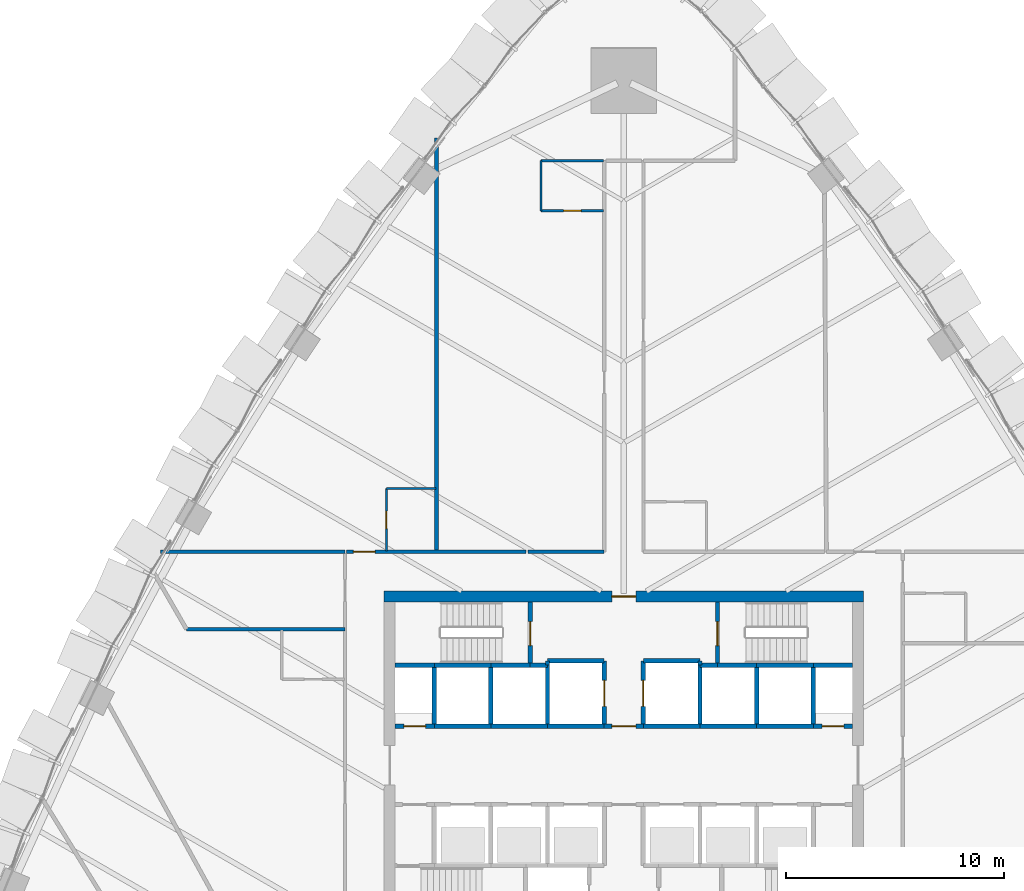
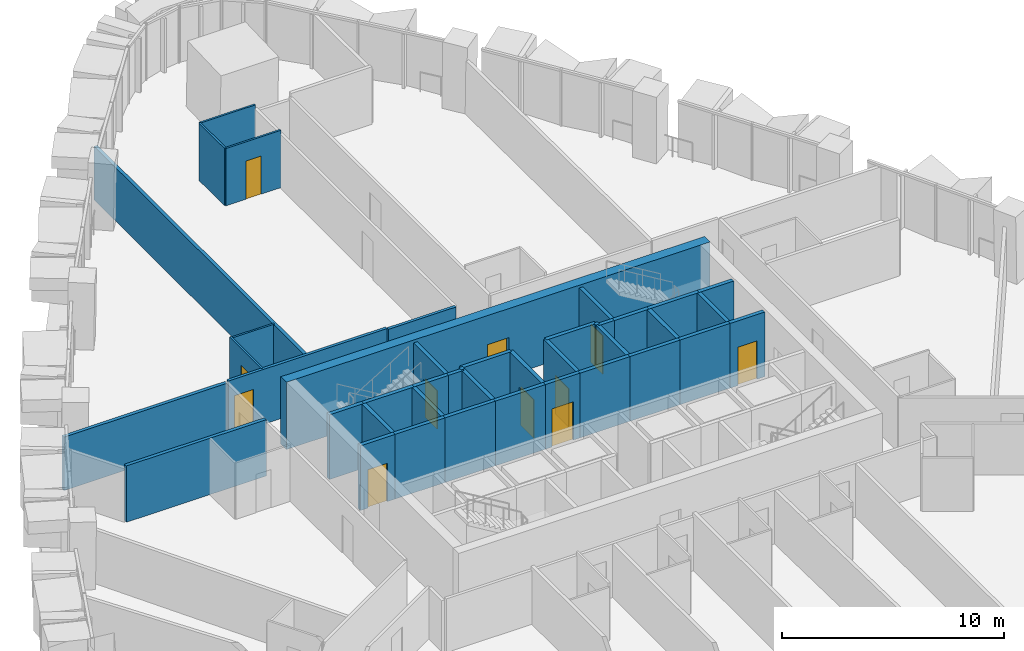
# One storey, part 18 of 27: 42 walls, 11 doors, 11 openings.
"""IFC4 building model written with IfcOpenShell, lengths in metres."""

from ifc_helpers import new_model, si_unit, direction, frame, frame_2d, origin, place, context, subcontext, project, spatial, rectangle, extrude, material, layer, layer_set, type_object, element, fill, save


model = new_model("IFC4")

# Units and contexts
model_context = context("Model", 3, precision=1e-05, world=origin(), true_north=direction((0.0, 1.0)))
body_context = subcontext(model_context, "Body", "Model", "MODEL_VIEW")
ifc_project = project(units=[si_unit("LENGTHUNIT", "METRE"), si_unit("AREAUNIT", "SQUARE_METRE"), si_unit("VOLUMEUNIT", "CUBIC_METRE"), si_unit("PLANEANGLEUNIT", "RADIAN"), si_unit("MASSUNIT", "GRAM", prefix="KILO")], contexts=[model_context])

# Site, building, storey
site_placement = place(None, origin())
site = spatial("IfcSite", under=ifc_project, at=site_placement, CompositionType="ELEMENT")
building_placement = place(site_placement, origin())
building = spatial("IfcBuilding", under=site, at=building_placement, Name="Sierra Prisma Convention Tower", CompositionType="ELEMENT")
storey_placement = place(building_placement, frame((0.0, 0.0, 48.0)))
storey = spatial("IfcBuildingStorey", under=building, at=storey_placement, Name="L07", CompositionType="ELEMENT", Elevation=48.0)

# Wall, opening, door
ifc_material_1 = material(Name="Gypsum board partition", Category="gypsum")
ifc_layer_1 = layer(ifc_material_1, 0.10009765625)
ifc_layer_set_1 = layer_set([ifc_layer_1], Name="Bathroom partition 100")
wall_type_1 = type_object("IfcWallType", Name="Bathroom partition 100", PredefinedType="PARTITIONING", material=ifc_layer_set_1)
wall_1_placement = place(storey_placement, frame((-10.89990234375, 9.830078125, 0.0), z_axis=(0.0, 0.0, 1.0), x_axis=(0.0, 1.0, 0.0)))
wall_1 = element("IfcWall", 1, at=wall_1_placement, inside=storey, type_object=wall_type_1, Name="Partition L07 bath 12", PredefinedType="PARTITIONING", context=body_context, shape_type="SweptSolid", body=[
    extrude(rectangle(XDim=2.869873046875, YDim=0.10009765625, at=frame_2d((1.43505859375, 0.0))), origin(), (0.0, 0.0, 1.0), 3.01708984375),
])
opening_1_placement = place(wall_1_placement, frame((1.034912109375, 0.0, 0.0)))
opening_1 = element("IfcOpeningElement", 2, at=opening_1_placement, cuts=wall_1, Name="Opening L07-D005", PredefinedType="OPENING", context=body_context, shape_type="SweptSolid", body=[
    extrude(rectangle(XDim=0.800048828125, YDim=2.10009765625, at=frame_2d((0.39990234375, 1.050048828125))), frame((0.0, 0.050048828125, 0.0), z_axis=(0.0, -1.0, 0.0), x_axis=(1.0, 0.0, 0.0)), (0.0, 0.0, 1.0), 0.10009765625),
])
ifc_material_2 = material(Name="Solid core timber door leaf", Category="wood")
door_type_1 = type_object("IfcDoorType", Name="Door 800x2100 plain", OperationType="SINGLE_SWING_LEFT", PredefinedType="DOOR", material=ifc_material_2)
door_1_placement = place(opening_1_placement, origin())
door_1 = element("IfcDoor", 3, at=door_1_placement, inside=storey, type_object=door_type_1, Name="Door L07 11", OperationType="SINGLE_SWING_RIGHT", OverallHeight=2.10009765625, OverallWidth=0.800048828125, PredefinedType="DOOR", context=body_context, shape_type="SweptSolid", body=[
    extrude(rectangle(XDim=0.800048828125, YDim=2.10009765625, at=frame_2d((0.39990234375, 1.050048828125))), frame((0.0, 0.02490234375, 0.0), z_axis=(0.0, -1.0, 0.0), x_axis=(1.0, 0.0, 0.0)), (0.0, 0.0, 1.0), 0.050048828125),
])
fill(opening_1, door_1)

# Wall
wall_2_placement = place(storey_placement, frame((-10.89990234375, 12.699951171875, 0.0), z_axis=(0.0, 0.0, 1.0), x_axis=(1.0, 0.0, 0.0)))
element("IfcWall", 4, at=wall_2_placement, inside=storey, type_object=wall_type_1, Name="Partition L07 bath 13", PredefinedType="PARTITIONING", context=body_context, shape_type="SweptSolid", body=[
    extrude(rectangle(XDim=2.27001953125, YDim=0.10009765625, at=frame_2d((1.135009765625, 0.0))), origin(), (0.0, 0.0, 1.0), 2.947021484375),
])

# Wall, opening, door
wall_3_placement = place(storey_placement, frame((-0.929931640625, 25.4560546875, 0.0), z_axis=(0.0, 0.0, 1.0), x_axis=(-1.0, 0.0, 0.0)))
wall_3 = element("IfcWall", 5, at=wall_3_placement, inside=storey, type_object=wall_type_1, Name="Partition L07 bath 18", PredefinedType="PARTITIONING", context=body_context, shape_type="SweptSolid", body=[
    extrude(rectangle(XDim=2.8701171875, YDim=0.10009765625, at=frame_2d((1.43505859375, 0.0))), origin(), (0.0, 0.0, 1.0), 3.14990234375),
])
opening_2_placement = place(wall_3_placement, frame((1.034912109375, 0.0, 0.0)))
opening_2 = element("IfcOpeningElement", 6, at=opening_2_placement, cuts=wall_3, Name="Opening L07-D004", PredefinedType="OPENING", context=body_context, shape_type="SweptSolid", body=[
    extrude(rectangle(XDim=0.800048828125, YDim=2.10009765625, at=frame_2d((0.39990234375, 1.050048828125))), frame((0.0, 0.050048828125, 0.0), z_axis=(0.0, -1.0, 0.0), x_axis=(1.0, 0.0, 0.0)), (0.0, 0.0, 1.0), 0.10009765625),
])
door_2_placement = place(opening_2_placement, origin())
door_2 = element("IfcDoor", 7, at=door_2_placement, inside=storey, type_object=door_type_1, Name="Door L07 9", OperationType="SINGLE_SWING_LEFT", OverallHeight=2.10009765625, OverallWidth=0.800048828125, PredefinedType="DOOR", context=body_context, shape_type="SweptSolid", body=[
    extrude(rectangle(XDim=0.800048828125, YDim=2.10009765625, at=frame_2d((0.39990234375, 1.050048828125))), frame((0.0, 0.02490234375, 0.0), z_axis=(0.0, -1.0, 0.0), x_axis=(1.0, 0.0, 0.0)), (0.0, 0.0, 1.0), 0.050048828125),
])
fill(opening_2, door_2)

# Walls
wall_4_placement = place(storey_placement, frame((-3.800048828125, 25.4560546875, 0.0), z_axis=(0.0, 0.0, 1.0), x_axis=(0.0, 1.0, 0.0)))
element("IfcWall", 8, at=wall_4_placement, inside=storey, type_object=wall_type_1, Name="Partition L07 bath 19", PredefinedType="PARTITIONING", context=body_context, shape_type="SweptSolid", body=[
    extrude(rectangle(XDim=2.300048828125, YDim=0.10009765625, at=frame_2d((1.14990234375, 0.0))), origin(), (0.0, 0.0, 1.0), 3.14990234375),
])
wall_5_placement = place(storey_placement, frame((-3.800048828125, 27.756103515625, 0.0), z_axis=(0.0, 0.0, 1.0), x_axis=(1.0, 0.0, 0.0)))
element("IfcWall", 9, at=wall_5_placement, inside=storey, type_object=wall_type_1, Name="Partition L07 bath 20", PredefinedType="PARTITIONING", context=body_context, shape_type="SweptSolid", body=[
    extrude(rectangle(XDim=2.8701171875, YDim=0.10009765625, at=frame_2d((1.43505859375, 0.0))), origin(), (0.0, 0.0, 1.0), 3.14990234375),
])

# Wall, opening, door
ifc_material_3 = material(Name="Concrete C30/37", Category="concrete")
ifc_layer_2 = layer(ifc_material_3, 0.199951171875)
ifc_layer_set_2 = layer_set([ifc_layer_2], Name="Core wall RC 200 C30/37")
wall_type_2 = type_object("IfcWallType", Name="Core wall RC 200 C30/37", PredefinedType="SOLIDWALL", material=ifc_layer_set_2)
wall_6_placement = place(storey_placement, frame((-8.699951171875, 1.800048828125, 0.0), z_axis=(0.0, 0.0, 1.0), x_axis=(-1.0, 0.0, 0.0)))
wall_6 = element("IfcWall", 10, at=wall_6_placement, inside=storey, type_object=wall_type_2, Name="Core wall L07 3", PredefinedType="SOLIDWALL", context=body_context, shape_type="SweptSolid", body=[
    extrude(rectangle(XDim=1.800048828125, YDim=0.199951171875, at=frame_2d((0.89990234375, 0.0))), origin(), (0.0, 0.0, 1.0), 3.550048828125),
])
opening_3_placement = place(wall_6_placement, frame((0.39990234375, 0.0, 0.0)))
opening_3 = element("IfcOpeningElement", 11, at=opening_3_placement, cuts=wall_6, Name="Opening L07-D032", PredefinedType="OPENING", context=body_context, shape_type="SweptSolid", body=[
    extrude(rectangle(XDim=1.0, YDim=2.10009765625, at=frame_2d((0.5, 1.050048828125))), frame((0.0, 0.10009765625, 0.0), z_axis=(0.0, -1.0, 0.0), x_axis=(1.0, 0.0, 0.0)), (0.0, 0.0, 1.0), 0.199951171875),
])
ifc_material_4 = material(Name="Steel fire door leaf", Category="steel")
door_type_2 = type_object("IfcDoorType", Name="Door 1000x2100 FD60S", OperationType="SINGLE_SWING_LEFT", PredefinedType="DOOR", material=ifc_material_4)
door_3_placement = place(opening_3_placement, origin())
door_3 = element("IfcDoor", 12, at=door_3_placement, inside=storey, type_object=door_type_2, Name="Door L07 53", OperationType="SINGLE_SWING_LEFT", OverallHeight=2.10009765625, OverallWidth=1.0, PredefinedType="DOOR", context=body_context, shape_type="SweptSolid", body=[
    extrude(rectangle(XDim=1.0, YDim=2.10009765625, at=frame_2d((0.5, 1.050048828125))), frame((0.0, 0.02490234375, 0.0), z_axis=(0.0, -1.0, 0.0), x_axis=(1.0, 0.0, 0.0)), (0.0, 0.0, 1.0), 0.050048828125),
])
fill(opening_3, door_3)

# Walls
wall_7_placement = place(storey_placement, frame((-8.699951171875, 4.60009765625, 0.0), z_axis=(0.0, 0.0, 1.0), x_axis=(-1.0, 0.0, 0.0)))
element("IfcWall", 13, at=wall_7_placement, inside=storey, type_object=wall_type_2, Name="Core wall L07 4", PredefinedType="SOLIDWALL", context=body_context, shape_type="SweptSolid", body=[
    extrude(rectangle(XDim=1.800048828125, YDim=0.199951171875, at=frame_2d((0.89990234375, 0.0))), origin(), (0.0, 0.0, 1.0), 3.550048828125),
])
wall_8_placement = place(storey_placement, frame((-6.10009765625, 1.800048828125, 0.0), z_axis=(0.0, 0.0, 1.0), x_axis=(-1.0, 0.0, 0.0)))
element("IfcWall", 14, at=wall_8_placement, inside=storey, type_object=wall_type_2, Name="Core wall L07 8", PredefinedType="SOLIDWALL", context=body_context, shape_type="SweptSolid", body=[
    extrude(rectangle(XDim=2.599853515625, YDim=0.199951171875, at=frame_2d((1.2998046875, 0.0))), origin(), (0.0, 0.0, 1.0), 3.550048828125),
])
wall_9_placement = place(storey_placement, frame((-8.699951171875, 1.800048828125, 0.0), z_axis=(0.0, 0.0, 1.0), x_axis=(0.0, 1.0, 0.0)))
element("IfcWall", 15, at=wall_9_placement, inside=storey, type_object=wall_type_2, Name="Core wall L07 9", PredefinedType="SOLIDWALL", context=body_context, shape_type="SweptSolid", body=[
    extrude(rectangle(XDim=2.800048828125, YDim=0.199951171875, at=frame_2d((1.39990234375, 0.0))), origin(), (0.0, 0.0, 1.0), 3.550048828125),
])
wall_10_placement = place(storey_placement, frame((-6.10009765625, 4.60009765625, 0.0), z_axis=(0.0, 0.0, 1.0), x_axis=(-1.0, 0.0, 0.0)))
element("IfcWall", 16, at=wall_10_placement, inside=storey, type_object=wall_type_2, Name="Core wall L07 10", PredefinedType="SOLIDWALL", context=body_context, shape_type="SweptSolid", body=[
    extrude(rectangle(XDim=2.599853515625, YDim=0.199951171875, at=frame_2d((1.2998046875, 0.0))), origin(), (0.0, 0.0, 1.0), 3.550048828125),
])
wall_11_placement = place(storey_placement, frame((-3.5, 1.800048828125, 0.0), z_axis=(0.0, 0.0, 1.0), x_axis=(-1.0, 0.0, 0.0)))
element("IfcWall", 17, at=wall_11_placement, inside=storey, type_object=wall_type_2, Name="Core wall L07 14", PredefinedType="SOLIDWALL", context=body_context, shape_type="SweptSolid", body=[
    extrude(rectangle(XDim=2.60009765625, YDim=0.199951171875, at=frame_2d((1.300048828125, 0.0))), origin(), (0.0, 0.0, 1.0), 3.550048828125),
])
wall_12_placement = place(storey_placement, frame((-6.10009765625, 1.800048828125, 0.0), z_axis=(0.0, 0.0, 1.0), x_axis=(0.0, 1.0, 0.0)))
element("IfcWall", 18, at=wall_12_placement, inside=storey, type_object=wall_type_2, Name="Core wall L07 15", PredefinedType="SOLIDWALL", context=body_context, shape_type="SweptSolid", body=[
    extrude(rectangle(XDim=2.800048828125, YDim=0.199951171875, at=frame_2d((1.39990234375, 0.0))), origin(), (0.0, 0.0, 1.0), 3.550048828125),
])
wall_13_placement = place(storey_placement, frame((-4.300048828125, 4.60009765625, 0.0), z_axis=(0.0, 0.0, 1.0), x_axis=(-1.0, 0.0, 0.0)))
element("IfcWall", 19, at=wall_13_placement, inside=storey, type_object=wall_type_2, Name="Core wall L07 16", PredefinedType="SOLIDWALL", context=body_context, shape_type="SweptSolid", body=[
    extrude(rectangle(XDim=1.800048828125, YDim=0.199951171875, at=frame_2d((0.89990234375, 0.0))), origin(), (0.0, 0.0, 1.0), 3.550048828125),
])
wall_14_placement = place(storey_placement, frame((-3.5, 4.60009765625, 0.0), z_axis=(0.0, 0.0, 1.0), x_axis=(-1.0, 0.0, 0.0)))
element("IfcWall", 20, at=wall_14_placement, inside=storey, type_object=wall_type_2, Name="Core wall L07 19", PredefinedType="SOLIDWALL", context=body_context, shape_type="SweptSolid", body=[
    extrude(rectangle(XDim=0.800048828125, YDim=0.199951171875, at=frame_2d((0.39990234375, 0.0))), origin(), (0.0, 0.0, 1.0), 3.550048828125),
])

# Wall, opening, door
wall_15_placement = place(storey_placement, frame((-4.300048828125, 4.60009765625, 0.0), z_axis=(0.0, 0.0, 1.0), x_axis=(0.0, 1.0, 0.0)))
wall_15 = element("IfcWall", 21, at=wall_15_placement, inside=storey, type_object=wall_type_2, Name="Core wall L07 20", PredefinedType="SOLIDWALL", context=body_context, shape_type="SweptSolid", body=[
    extrude(rectangle(XDim=2.89990234375, YDim=0.199951171875, at=frame_2d((1.449951171875, 0.0))), origin(), (0.0, 0.0, 1.0), 3.550048828125),
])
opening_4_placement = place(wall_15_placement, frame((0.89990234375, 0.0, 0.0)))
opening_4 = element("IfcOpeningElement", 22, at=opening_4_placement, cuts=wall_15, Name="Opening L07-D036", PredefinedType="OPENING", context=body_context, shape_type="SweptSolid", body=[
    extrude(rectangle(XDim=1.10009765625, YDim=2.10009765625, at=frame_2d((0.550048828125, 1.050048828125))), frame((0.0, 0.10009765625, 0.0), z_axis=(0.0, -1.0, 0.0), x_axis=(1.0, 0.0, 0.0)), (0.0, 0.0, 1.0), 0.199951171875),
])
ifc_material_5 = material(Name="Steel fire door leaf", Category="steel")
door_type_3 = type_object("IfcDoorType", Name="Door 1100x2100 FD90S", OperationType="SINGLE_SWING_LEFT", PredefinedType="DOOR", material=ifc_material_5)
door_4_placement = place(opening_4_placement, origin())
door_4 = element("IfcDoor", 23, at=door_4_placement, inside=storey, type_object=door_type_3, Name="Door L07 57", OperationType="SINGLE_SWING_LEFT", OverallHeight=2.10009765625, OverallWidth=1.10009765625, PredefinedType="DOOR", context=body_context, shape_type="SweptSolid", body=[
    extrude(rectangle(XDim=1.10009765625, YDim=2.10009765625, at=frame_2d((0.550048828125, 1.050048828125))), frame((0.0, 0.02490234375, 0.0), z_axis=(0.0, -1.0, 0.0), x_axis=(1.0, 0.0, 0.0)), (0.0, 0.0, 1.0), 0.050048828125),
])
fill(opening_4, door_4)

# Walls
wall_16_placement = place(storey_placement, frame((-0.89990234375, 1.800048828125, 0.0), z_axis=(0.0, 0.0, 1.0), x_axis=(-1.0, 0.0, 0.0)))
element("IfcWall", 24, at=wall_16_placement, inside=storey, type_object=wall_type_2, Name="Core wall L07 24", PredefinedType="SOLIDWALL", context=body_context, shape_type="SweptSolid", body=[
    extrude(rectangle(XDim=2.60009765625, YDim=0.199951171875, at=frame_2d((1.300048828125, 0.0))), origin(), (0.0, 0.0, 1.0), 3.550048828125),
])
wall_17_placement = place(storey_placement, frame((-3.5, 4.60009765625, 0.0), z_axis=(0.0, 0.0, 1.0), x_axis=(0.0, -1.0, 0.0)))
element("IfcWall", 25, at=wall_17_placement, inside=storey, type_object=wall_type_2, Name="Core wall L07 25", PredefinedType="SOLIDWALL", context=body_context, shape_type="SweptSolid", body=[
    extrude(rectangle(XDim=2.800048828125, YDim=0.199951171875, at=frame_2d((1.39990234375, 0.0))), origin(), (0.0, 0.0, 1.0), 3.550048828125),
])

# Wall, opening, door
wall_18_placement = place(storey_placement, frame((-0.89990234375, 1.800048828125, 0.0), z_axis=(0.0, 0.0, 1.0), x_axis=(0.0, 1.0, 0.0)))
wall_18 = element("IfcWall", 26, at=wall_18_placement, inside=storey, type_object=wall_type_2, Name="Core wall L07 26", PredefinedType="SOLIDWALL", context=body_context, shape_type="SweptSolid", body=[
    extrude(rectangle(XDim=3.0, YDim=0.199951171875, at=frame_2d((1.5, 0.0))), origin(), (0.0, 0.0, 1.0), 3.550048828125),
])
opening_5_placement = place(wall_18_placement, frame((0.89990234375, 0.0, 0.0)))
opening_5 = element("IfcOpeningElement", 27, at=opening_5_placement, cuts=wall_18, Name="Opening L07-D025", PredefinedType="OPENING", context=body_context, shape_type="SweptSolid", body=[
    extrude(rectangle(XDim=1.199951171875, YDim=2.10009765625, at=frame_2d((0.60009765625, 1.050048828125))), frame((0.0, 0.10009765625, 0.0), z_axis=(0.0, -1.0, 0.0), x_axis=(1.0, 0.0, 0.0)), (0.0, 0.0, 1.0), 0.199951171875),
])
ifc_material_6 = material(Name="Steel fire door leaf", Category="steel")
door_type_4 = type_object("IfcDoorType", Name="Door 1200x2100 EI 90 sliding lift landing", OperationType="SLIDING_TO_LEFT", PredefinedType="DOOR", material=ifc_material_6)
door_5_placement = place(opening_5_placement, origin())
door_5 = element("IfcDoor", 28, at=door_5_placement, inside=storey, type_object=door_type_4, Name="Door L07 46", OperationType="SLIDING_TO_LEFT", OverallHeight=2.10009765625, OverallWidth=1.199951171875, PredefinedType="DOOR", context=body_context, shape_type="SweptSolid", body=[
    extrude(rectangle(XDim=1.199951171875, YDim=2.10009765625, at=frame_2d((0.60009765625, 1.050048828125))), frame((0.0, 0.02490234375, 0.0), z_axis=(0.0, -1.0, 0.0), x_axis=(1.0, 0.0, 0.0)), (0.0, 0.0, 1.0), 0.050048828125),
])
fill(opening_5, door_5)

# Walls
wall_19_placement = place(storey_placement, frame((-0.89990234375, 4.800048828125, 0.0), z_axis=(0.0, 0.0, 1.0), x_axis=(-1.0, 0.0, 0.0)))
element("IfcWall", 29, at=wall_19_placement, inside=storey, type_object=wall_type_2, Name="Core wall L07 27", PredefinedType="SOLIDWALL", context=body_context, shape_type="SweptSolid", body=[
    extrude(rectangle(XDim=2.60009765625, YDim=0.199951171875, at=frame_2d((1.300048828125, 0.0))), origin(), (0.0, 0.0, 1.0), 3.550048828125),
])
wall_20_placement = place(storey_placement, frame((-3.5, 4.800048828125, 0.0), z_axis=(0.0, 0.0, 1.0), x_axis=(0.0, -1.0, 0.0)))
element("IfcWall", 30, at=wall_20_placement, inside=storey, type_object=wall_type_2, Name="Core wall L07 28", PredefinedType="SOLIDWALL", context=body_context, shape_type="SweptSolid", body=[
    extrude(rectangle(XDim=0.199951171875, YDim=0.199951171875, at=frame_2d((0.10009765625, 0.0))), origin(), (0.0, 0.0, 1.0), 3.550048828125),
])

# Wall, opening, door
wall_21_placement = place(storey_placement, frame((0.89990234375, 1.800048828125, 0.0), z_axis=(0.0, 0.0, 1.0), x_axis=(-1.0, 0.0, 0.0)))
wall_21 = element("IfcWall", 31, at=wall_21_placement, inside=storey, type_object=wall_type_2, Name="Core wall L07 33", PredefinedType="SOLIDWALL", context=body_context, shape_type="SweptSolid", body=[
    extrude(rectangle(XDim=1.7998046875, YDim=0.199951171875, at=frame_2d((0.89990234375, 0.0))), origin(), (0.0, 0.0, 1.0), 3.550048828125),
])
opening_6_placement = place(wall_21_placement, frame((0.35009765625, 0.0, 0.0)))
opening_6 = element("IfcOpeningElement", 32, at=opening_6_placement, cuts=wall_21, Name="Opening L07-D030", PredefinedType="OPENING", context=body_context, shape_type="SweptSolid", body=[
    extrude(rectangle(XDim=1.10009765625, YDim=2.10009765625, at=frame_2d((0.550048828125, 1.050048828125))), frame((0.0, 0.10009765625, 0.0), z_axis=(0.0, -1.0, 0.0), x_axis=(1.0, 0.0, 0.0)), (0.0, 0.0, 1.0), 0.199951171875),
])
ifc_material_7 = material(Name="Steel fire door leaf", Category="steel")
door_type_5 = type_object("IfcDoorType", Name="Door 1100x2100 FD60S", OperationType="SINGLE_SWING_LEFT", PredefinedType="DOOR", material=ifc_material_7)
door_6_placement = place(opening_6_placement, origin())
door_6 = element("IfcDoor", 33, at=door_6_placement, inside=storey, type_object=door_type_5, Name="Door L07 51", OperationType="SINGLE_SWING_LEFT", OverallHeight=2.10009765625, OverallWidth=1.10009765625, PredefinedType="DOOR", context=body_context, shape_type="SweptSolid", body=[
    extrude(rectangle(XDim=1.10009765625, YDim=2.10009765625, at=frame_2d((0.550048828125, 1.050048828125))), frame((0.0, 0.02490234375, 0.0), z_axis=(0.0, -1.0, 0.0), x_axis=(1.0, 0.0, 0.0)), (0.0, 0.0, 1.0), 0.050048828125),
])
fill(opening_6, door_6)

# Walls
wall_22_placement = place(storey_placement, frame((3.5, 1.800048828125, 0.0), z_axis=(0.0, 0.0, 1.0), x_axis=(-1.0, 0.0, 0.0)))
element("IfcWall", 34, at=wall_22_placement, inside=storey, type_object=wall_type_2, Name="Core wall L07 37", PredefinedType="SOLIDWALL", context=body_context, shape_type="SweptSolid", body=[
    extrude(rectangle(XDim=2.60009765625, YDim=0.199951171875, at=frame_2d((1.300048828125, 0.0))), origin(), (0.0, 0.0, 1.0), 3.550048828125),
])
wall_23_placement = place(storey_placement, frame((3.5, 4.60009765625, 0.0), z_axis=(0.0, 0.0, 1.0), x_axis=(0.0, 1.0, 0.0)))
element("IfcWall", 35, at=wall_23_placement, inside=storey, type_object=wall_type_2, Name="Core wall L07 38", PredefinedType="SOLIDWALL", context=body_context, shape_type="SweptSolid", body=[
    extrude(rectangle(XDim=0.199951171875, YDim=0.199951171875, at=frame_2d((0.10009765625, 0.0))), origin(), (0.0, 0.0, 1.0), 3.550048828125),
])
wall_24_placement = place(storey_placement, frame((3.5, 4.800048828125, 0.0), z_axis=(0.0, 0.0, 1.0), x_axis=(-1.0, 0.0, 0.0)))
element("IfcWall", 36, at=wall_24_placement, inside=storey, type_object=wall_type_2, Name="Core wall L07 39", PredefinedType="SOLIDWALL", context=body_context, shape_type="SweptSolid", body=[
    extrude(rectangle(XDim=2.60009765625, YDim=0.199951171875, at=frame_2d((1.300048828125, 0.0))), origin(), (0.0, 0.0, 1.0), 3.550048828125),
])

# Wall, opening, door
wall_25_placement = place(storey_placement, frame((0.89990234375, 4.800048828125, 0.0), z_axis=(0.0, 0.0, 1.0), x_axis=(0.0, -1.0, 0.0)))
wall_25 = element("IfcWall", 37, at=wall_25_placement, inside=storey, type_object=wall_type_2, Name="Core wall L07 40", PredefinedType="SOLIDWALL", context=body_context, shape_type="SweptSolid", body=[
    extrude(rectangle(XDim=3.0, YDim=0.199951171875, at=frame_2d((1.5, 0.0))), origin(), (0.0, 0.0, 1.0), 3.550048828125),
])
opening_7_placement = place(wall_25_placement, frame((0.89990234375, 0.0, 0.0)))
opening_7 = element("IfcOpeningElement", 38, at=opening_7_placement, cuts=wall_25, Name="Opening L07-D026", PredefinedType="OPENING", context=body_context, shape_type="SweptSolid", body=[
    extrude(rectangle(XDim=1.199951171875, YDim=2.10009765625, at=frame_2d((0.60009765625, 1.050048828125))), frame((0.0, 0.10009765625, 0.0), z_axis=(0.0, -1.0, 0.0), x_axis=(1.0, 0.0, 0.0)), (0.0, 0.0, 1.0), 0.199951171875),
])
door_7_placement = place(opening_7_placement, origin())
door_7 = element("IfcDoor", 39, at=door_7_placement, inside=storey, type_object=door_type_4, Name="Door L07 47", OperationType="SLIDING_TO_RIGHT", OverallHeight=2.10009765625, OverallWidth=1.199951171875, PredefinedType="DOOR", context=body_context, shape_type="SweptSolid", body=[
    extrude(rectangle(XDim=1.199951171875, YDim=2.10009765625, at=frame_2d((0.60009765625, 1.050048828125))), frame((0.0, 0.02490234375, 0.0), z_axis=(0.0, -1.0, 0.0), x_axis=(1.0, 0.0, 0.0)), (0.0, 0.0, 1.0), 0.050048828125),
])
fill(opening_7, door_7)

# Walls
wall_26_placement = place(storey_placement, frame((6.10009765625, 1.800048828125, 0.0), z_axis=(0.0, 0.0, 1.0), x_axis=(-1.0, 0.0, 0.0)))
element("IfcWall", 40, at=wall_26_placement, inside=storey, type_object=wall_type_2, Name="Core wall L07 46", PredefinedType="SOLIDWALL", context=body_context, shape_type="SweptSolid", body=[
    extrude(rectangle(XDim=2.60009765625, YDim=0.199951171875, at=frame_2d((1.300048828125, 0.0))), origin(), (0.0, 0.0, 1.0), 3.550048828125),
])
wall_27_placement = place(storey_placement, frame((3.5, 1.800048828125, 0.0), z_axis=(0.0, 0.0, 1.0), x_axis=(0.0, 1.0, 0.0)))
element("IfcWall", 41, at=wall_27_placement, inside=storey, type_object=wall_type_2, Name="Core wall L07 47", PredefinedType="SOLIDWALL", context=body_context, shape_type="SweptSolid", body=[
    extrude(rectangle(XDim=2.800048828125, YDim=0.199951171875, at=frame_2d((1.39990234375, 0.0))), origin(), (0.0, 0.0, 1.0), 3.550048828125),
])
wall_28_placement = place(storey_placement, frame((4.300048828125, 4.60009765625, 0.0), z_axis=(0.0, 0.0, 1.0), x_axis=(-1.0, 0.0, 0.0)))
element("IfcWall", 42, at=wall_28_placement, inside=storey, type_object=wall_type_2, Name="Core wall L07 48", PredefinedType="SOLIDWALL", context=body_context, shape_type="SweptSolid", body=[
    extrude(rectangle(XDim=0.800048828125, YDim=0.199951171875, at=frame_2d((0.39990234375, 0.0))), origin(), (0.0, 0.0, 1.0), 3.550048828125),
])
wall_29_placement = place(storey_placement, frame((6.10009765625, 4.60009765625, 0.0), z_axis=(0.0, 0.0, 1.0), x_axis=(-1.0, 0.0, 0.0)))
element("IfcWall", 43, at=wall_29_placement, inside=storey, type_object=wall_type_2, Name="Core wall L07 49", PredefinedType="SOLIDWALL", context=body_context, shape_type="SweptSolid", body=[
    extrude(rectangle(XDim=1.800048828125, YDim=0.199951171875, at=frame_2d((0.89990234375, 0.0))), origin(), (0.0, 0.0, 1.0), 3.550048828125),
])

# Wall, opening, door
wall_30_placement = place(storey_placement, frame((4.300048828125, 7.5, 0.0), z_axis=(0.0, 0.0, 1.0), x_axis=(0.0, -1.0, 0.0)))
wall_30 = element("IfcWall", 44, at=wall_30_placement, inside=storey, type_object=wall_type_2, Name="Core wall L07 50", PredefinedType="SOLIDWALL", context=body_context, shape_type="SweptSolid", body=[
    extrude(rectangle(XDim=2.89990234375, YDim=0.199951171875, at=frame_2d((1.449951171875, 0.0))), origin(), (0.0, 0.0, 1.0), 3.550048828125),
])
opening_8_placement = place(wall_30_placement, frame((0.89990234375, 0.0, 0.0)))
opening_8 = element("IfcOpeningElement", 45, at=opening_8_placement, cuts=wall_30, Name="Opening L07-D037", PredefinedType="OPENING", context=body_context, shape_type="SweptSolid", body=[
    extrude(rectangle(XDim=1.10009765625, YDim=2.10009765625, at=frame_2d((0.550048828125, 1.050048828125))), frame((0.0, 0.10009765625, 0.0), z_axis=(0.0, -1.0, 0.0), x_axis=(1.0, 0.0, 0.0)), (0.0, 0.0, 1.0), 0.199951171875),
])
door_8_placement = place(opening_8_placement, origin())
door_8 = element("IfcDoor", 46, at=door_8_placement, inside=storey, type_object=door_type_3, Name="Door L07 58", OperationType="SINGLE_SWING_RIGHT", OverallHeight=2.10009765625, OverallWidth=1.10009765625, PredefinedType="DOOR", context=body_context, shape_type="SweptSolid", body=[
    extrude(rectangle(XDim=1.10009765625, YDim=2.10009765625, at=frame_2d((0.550048828125, 1.050048828125))), frame((0.0, 0.02490234375, 0.0), z_axis=(0.0, -1.0, 0.0), x_axis=(1.0, 0.0, 0.0)), (0.0, 0.0, 1.0), 0.050048828125),
])
fill(opening_8, door_8)

# Walls
wall_31_placement = place(storey_placement, frame((8.699951171875, 1.800048828125, 0.0), z_axis=(0.0, 0.0, 1.0), x_axis=(-1.0, 0.0, 0.0)))
element("IfcWall", 47, at=wall_31_placement, inside=storey, type_object=wall_type_2, Name="Core wall L07 56", PredefinedType="SOLIDWALL", context=body_context, shape_type="SweptSolid", body=[
    extrude(rectangle(XDim=2.599853515625, YDim=0.199951171875, at=frame_2d((1.2998046875, 0.0))), origin(), (0.0, 0.0, 1.0), 3.550048828125),
])
wall_32_placement = place(storey_placement, frame((6.10009765625, 1.800048828125, 0.0), z_axis=(0.0, 0.0, 1.0), x_axis=(0.0, 1.0, 0.0)))
element("IfcWall", 48, at=wall_32_placement, inside=storey, type_object=wall_type_2, Name="Core wall L07 57", PredefinedType="SOLIDWALL", context=body_context, shape_type="SweptSolid", body=[
    extrude(rectangle(XDim=2.800048828125, YDim=0.199951171875, at=frame_2d((1.39990234375, 0.0))), origin(), (0.0, 0.0, 1.0), 3.550048828125),
])
wall_33_placement = place(storey_placement, frame((8.699951171875, 4.60009765625, 0.0), z_axis=(0.0, 0.0, 1.0), x_axis=(-1.0, 0.0, 0.0)))
element("IfcWall", 49, at=wall_33_placement, inside=storey, type_object=wall_type_2, Name="Core wall L07 58", PredefinedType="SOLIDWALL", context=body_context, shape_type="SweptSolid", body=[
    extrude(rectangle(XDim=2.599853515625, YDim=0.199951171875, at=frame_2d((1.2998046875, 0.0))), origin(), (0.0, 0.0, 1.0), 3.550048828125),
])

# Wall, opening, door
wall_34_placement = place(storey_placement, frame((10.5, 1.800048828125, 0.0), z_axis=(0.0, 0.0, 1.0), x_axis=(-1.0, 0.0, 0.0)))
wall_34 = element("IfcWall", 50, at=wall_34_placement, inside=storey, type_object=wall_type_2, Name="Core wall L07 62", PredefinedType="SOLIDWALL", context=body_context, shape_type="SweptSolid", body=[
    extrude(rectangle(XDim=1.800048828125, YDim=0.199951171875, at=frame_2d((0.89990234375, 0.0))), origin(), (0.0, 0.0, 1.0), 3.550048828125),
])
opening_9_placement = place(wall_34_placement, frame((0.39990234375, 0.0, 0.0)))
opening_9 = element("IfcOpeningElement", 51, at=opening_9_placement, cuts=wall_34, Name="Opening L07-D033", PredefinedType="OPENING", context=body_context, shape_type="SweptSolid", body=[
    extrude(rectangle(XDim=1.0, YDim=2.10009765625, at=frame_2d((0.5, 1.050048828125))), frame((0.0, 0.10009765625, 0.0), z_axis=(0.0, -1.0, 0.0), x_axis=(1.0, 0.0, 0.0)), (0.0, 0.0, 1.0), 0.199951171875),
])
door_9_placement = place(opening_9_placement, origin())
door_9 = element("IfcDoor", 52, at=door_9_placement, inside=storey, type_object=door_type_2, Name="Door L07 54", OperationType="SINGLE_SWING_RIGHT", OverallHeight=2.10009765625, OverallWidth=1.0, PredefinedType="DOOR", context=body_context, shape_type="SweptSolid", body=[
    extrude(rectangle(XDim=1.0, YDim=2.10009765625, at=frame_2d((0.5, 1.050048828125))), frame((0.0, 0.02490234375, 0.0), z_axis=(0.0, -1.0, 0.0), x_axis=(1.0, 0.0, 0.0)), (0.0, 0.0, 1.0), 0.050048828125),
])
fill(opening_9, door_9)

# Walls
wall_35_placement = place(storey_placement, frame((8.699951171875, 4.60009765625, 0.0), z_axis=(0.0, 0.0, 1.0), x_axis=(0.0, -1.0, 0.0)))
element("IfcWall", 53, at=wall_35_placement, inside=storey, type_object=wall_type_2, Name="Core wall L07 63", PredefinedType="SOLIDWALL", context=body_context, shape_type="SweptSolid", body=[
    extrude(rectangle(XDim=2.800048828125, YDim=0.199951171875, at=frame_2d((1.39990234375, 0.0))), origin(), (0.0, 0.0, 1.0), 3.550048828125),
])
wall_36_placement = place(storey_placement, frame((10.5, 4.60009765625, 0.0), z_axis=(0.0, 0.0, 1.0), x_axis=(-1.0, 0.0, 0.0)))
element("IfcWall", 54, at=wall_36_placement, inside=storey, type_object=wall_type_2, Name="Core wall L07 64", PredefinedType="SOLIDWALL", context=body_context, shape_type="SweptSolid", body=[
    extrude(rectangle(XDim=1.800048828125, YDim=0.199951171875, at=frame_2d((0.89990234375, 0.0))), origin(), (0.0, 0.0, 1.0), 3.550048828125),
])

# Wall, opening, door
ifc_material_8 = material(Name="Concrete C60/75", Category="concrete")
ifc_layer_3 = layer(ifc_material_8, 0.5)
ifc_layer_set_3 = layer_set([ifc_layer_3], Name="Core wall RC 500 C60/75")
wall_type_3 = type_object("IfcWallType", Name="Core wall RC 500 C60/75", PredefinedType="SHEAR", material=ifc_layer_set_3)
wall_37_placement = place(storey_placement, frame((-11.0, 7.75, 0.0), z_axis=(0.0, 0.0, 1.0), x_axis=(1.0, 0.0, 0.0)))
wall_37 = element("IfcWall", 55, at=wall_37_placement, inside=storey, type_object=wall_type_3, Name="Core wall N L07", PredefinedType="SHEAR", context=body_context, shape_type="SweptSolid", body=[
    extrude(rectangle(XDim=22.0, YDim=0.5, at=frame_2d((11.0, 0.0))), origin(), (0.0, 0.0, 1.0), 3.699951171875),
])
opening_10_placement = place(wall_37_placement, frame((10.449951171875, 0.0, 0.0)))
opening_10 = element("IfcOpeningElement", 56, at=opening_10_placement, cuts=wall_37, Name="Opening L07-D061", PredefinedType="OPENING", context=body_context, shape_type="SweptSolid", body=[
    extrude(rectangle(XDim=1.10009765625, YDim=2.10009765625, at=frame_2d((0.550048828125, 1.050048828125))), frame((0.0, 0.25, 0.0), z_axis=(0.0, -1.0, 0.0), x_axis=(1.0, 0.0, 0.0)), (0.0, 0.0, 1.0), 0.5),
])
door_10_placement = place(opening_10_placement, origin())
door_10 = element("IfcDoor", 57, at=door_10_placement, inside=storey, type_object=door_type_5, Name="Door L07 62", OperationType="SINGLE_SWING_RIGHT", OverallHeight=2.10009765625, OverallWidth=1.10009765625, PredefinedType="DOOR", context=body_context, shape_type="SweptSolid", body=[
    extrude(rectangle(XDim=1.10009765625, YDim=2.10009765625, at=frame_2d((0.550048828125, 1.050048828125))), frame((0.0, 0.02490234375, 0.0), z_axis=(0.0, -1.0, 0.0), x_axis=(1.0, 0.0, 0.0)), (0.0, 0.0, 1.0), 0.050048828125),
])
fill(opening_10, door_10)

ifc_material_9 = material(Name="Gypsum board partition", Category="gypsum")
ifc_layer_4 = layer(ifc_material_9, 0.14990234375)
ifc_layer_set_4 = layer_set([ifc_layer_4], Name="Corridor wall 150 gypsum EI 60")
wall_type_4 = type_object("IfcWallType", Name="Corridor wall 150 gypsum EI 60", PredefinedType="PARTITIONING", material=ifc_layer_set_4)
wall_38_placement = place(storey_placement, frame((-4.47998046875, 9.800048828125, 0.0), z_axis=(0.0, 0.0, 1.0), x_axis=(-1.0, 0.0, 0.0)))
wall_38 = element("IfcWall", 58, at=wall_38_placement, inside=storey, type_object=wall_type_4, Name="Partition L07 corr 7", PredefinedType="PARTITIONING", context=body_context, shape_type="SweptSolid", body=[
    extrude(rectangle(XDim=8.239990234375, YDim=0.14990234375, at=frame_2d((4.1201171875, 0.0))), origin(), (0.0, 0.0, 1.0), 3.01708984375),
])
opening_11_placement = place(wall_38_placement, frame((6.929931640625, 0.0, 0.0)))
opening_11 = element("IfcOpeningElement", 59, at=opening_11_placement, cuts=wall_38, Name="Opening L07-D044", PredefinedType="OPENING", context=body_context, shape_type="SweptSolid", body=[
    extrude(rectangle(XDim=1.0, YDim=2.10009765625, at=frame_2d((0.5, 1.050048828125))), frame((0.0, 0.074951171875, 0.0), z_axis=(0.0, -1.0, 0.0), x_axis=(1.0, 0.0, 0.0)), (0.0, 0.0, 1.0), 0.14990234375),
])
ifc_material_10 = material(Name="Steel fire door leaf", Category="steel")
door_type_6 = type_object("IfcDoorType", Name="Door 1000x2100 FD30S", OperationType="SINGLE_SWING_LEFT", PredefinedType="DOOR", material=ifc_material_10)
door_11_placement = place(opening_11_placement, origin())
door_11 = element("IfcDoor", 60, at=door_11_placement, inside=storey, type_object=door_type_6, Name="Door L07 10", OperationType="SINGLE_SWING_LEFT", OverallHeight=2.10009765625, OverallWidth=1.0, PredefinedType="DOOR", context=body_context, shape_type="SweptSolid", body=[
    extrude(rectangle(XDim=1.0, YDim=2.10009765625, at=frame_2d((0.5, 1.050048828125))), frame((0.0, 0.02490234375, 0.0), z_axis=(0.0, -1.0, 0.0), x_axis=(1.0, 0.0, 0.0)), (0.0, 0.0, 1.0), 0.050048828125),
])
fill(opening_11, door_11)

# Walls
wall_39_placement = place(storey_placement, frame((-0.89990234375, 9.800048828125, 0.0), z_axis=(0.0, 0.0, 1.0), x_axis=(-1.0, 0.0, 0.0)))
element("IfcWall", 61, at=wall_39_placement, inside=storey, type_object=wall_type_4, Name="Partition L07 corr 9", PredefinedType="PARTITIONING", context=body_context, shape_type="SweptSolid", body=[
    extrude(rectangle(XDim=3.5, YDim=0.14990234375, at=frame_2d((1.75, 0.0))), origin(), (0.0, 0.0, 1.0), 2.947021484375),
])
ifc_material_11 = material(Name="Acoustic gypsum board partition", Category="gypsum")
ifc_layer_5 = layer(ifc_material_11, 0.175048828125)
ifc_layer_set_5 = layer_set([ifc_layer_5], Name="Guest room party wall 175 acoustic EI 60")
wall_type_5 = type_object("IfcWallType", Name="Guest room party wall 175 acoustic EI 60", PredefinedType="PARTITIONING", material=ifc_layer_set_5)
wall_40_placement = place(storey_placement, frame((-20.07470703125, 6.2490234375, 0.0), z_axis=(0.0, 0.0, 1.0), x_axis=(1.0, 0.0, 0.0)))
element("IfcWall", 62, at=wall_40_placement, inside=storey, type_object=wall_type_5, Name="Partition L07 hparty 6", PredefinedType="PARTITIONING", context=body_context, shape_type="SweptSolid", body=[
    extrude(rectangle(XDim=7.274658203125, YDim=0.175048828125, at=frame_2d((3.63720703125, 0.0))), origin(), (0.0, 0.0, 1.0), 3.093017578125),
])
wall_41_placement = place(storey_placement, frame((-12.800048828125, 9.800048828125, 0.0), z_axis=(0.0, 0.0, 1.0), x_axis=(-1.0, 0.0, 0.0)))
element("IfcWall", 63, at=wall_41_placement, inside=storey, type_object=wall_type_5, Name="Partition L07 hparty 7", PredefinedType="PARTITIONING", context=body_context, shape_type="SweptSolid", body=[
    extrude(rectangle(XDim=8.46435546875, YDim=0.175048828125, at=frame_2d((4.232177734375, 0.0))), origin(), (0.0, 0.0, 1.0), 2.93408203125),
])
wall_42_placement = place(storey_placement, frame((-8.60009765625, 9.800048828125, 0.0), z_axis=(0.0, 0.0, 1.0), x_axis=(0.0, 1.0, 0.0)))
element("IfcWall", 64, at=wall_42_placement, inside=storey, type_object=wall_type_5, Name="Partition L07 hparty 9", PredefinedType="PARTITIONING", context=body_context, shape_type="SweptSolid", body=[
    extrude(rectangle(XDim=18.99462890625, YDim=0.175048828125, at=frame_2d((9.497314453125, 0.0))), origin(), (0.0, 0.0, 1.0), 2.93408203125),
])

save(model, "model.ifc")
